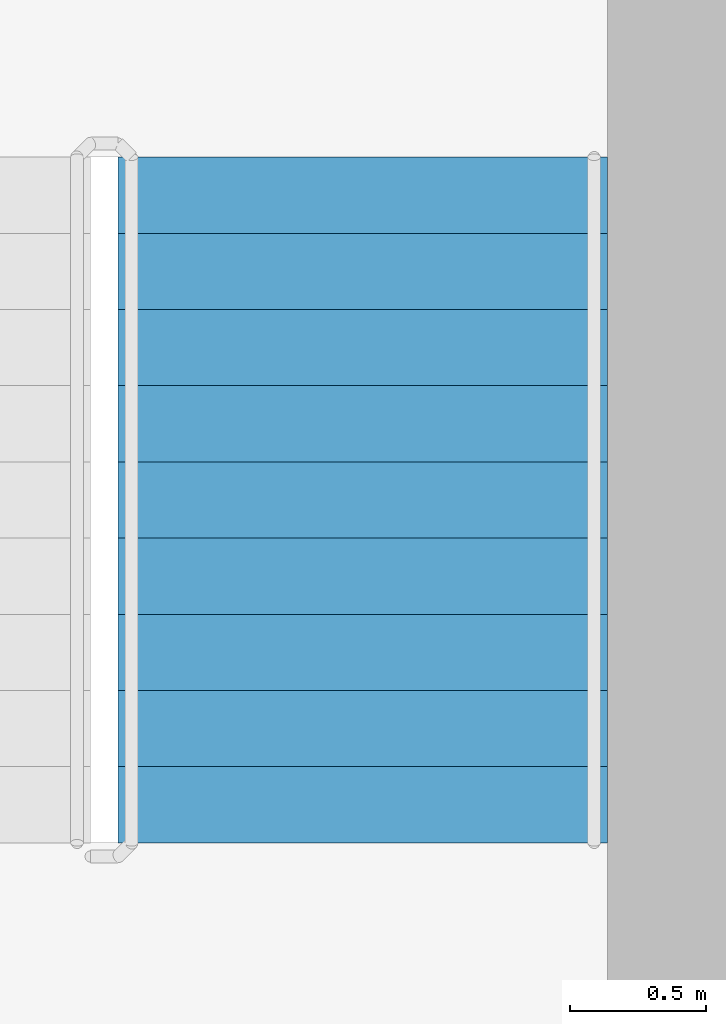
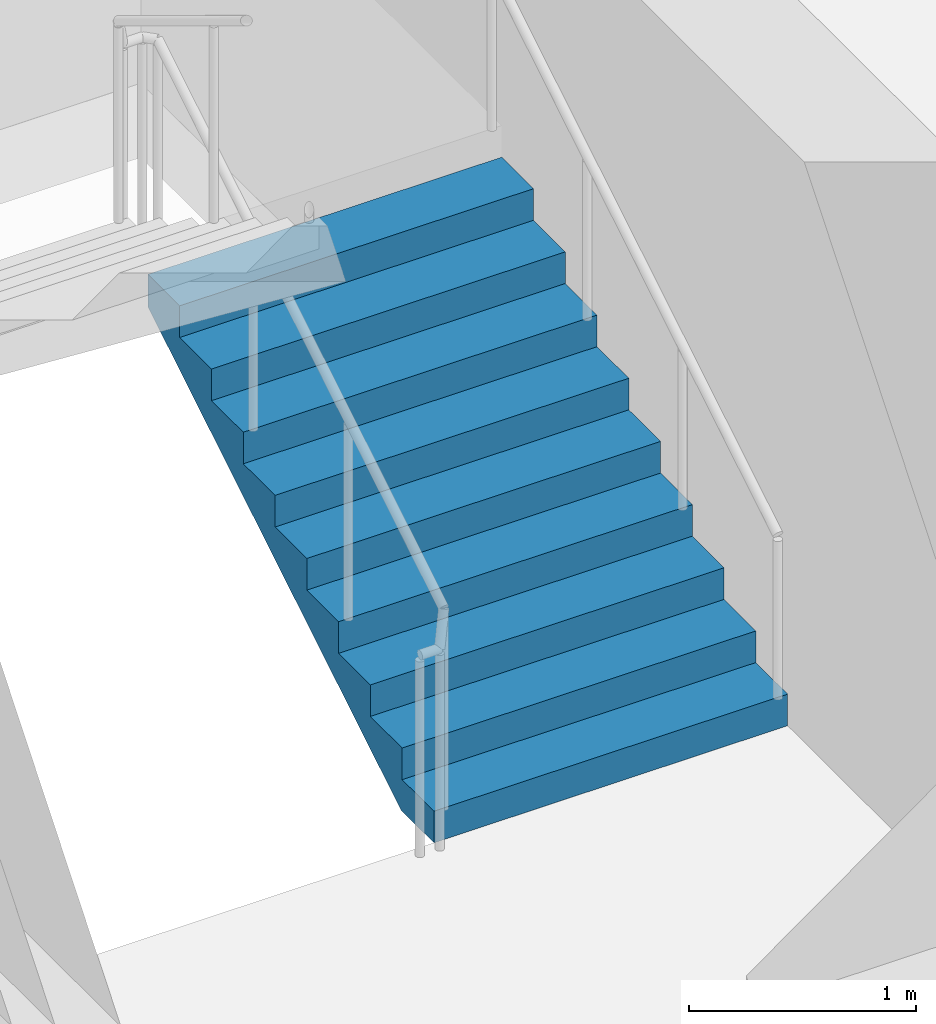
# One storey, part 10 of 12: 1 stair flight, 1 element without a shape of its own.
"""IFC4 building model written with IfcOpenShell, lengths in metres."""

from ifc_helpers import new_model, si_unit, direction, frame, origin, place, context, subcontext, project, spatial, triangles, source, transform, mapped, material, type_object, element, aggregate, save


model = new_model("IFC4")

# Units and contexts
model_context = context("Model", 3, precision=1e-05, world=origin(), true_north=direction((0.0, 1.0)))
body_context = subcontext(model_context, "Body", "Model", "MODEL_VIEW")
ifc_project = project(units=[si_unit("LENGTHUNIT", "METRE"), si_unit("AREAUNIT", "SQUARE_METRE"), si_unit("VOLUMEUNIT", "CUBIC_METRE"), si_unit("PLANEANGLEUNIT", "RADIAN"), si_unit("MASSUNIT", "GRAM", prefix="KILO")], contexts=[model_context])

# Site, building, storey
site_placement = place(None, origin())
site = spatial("IfcSite", under=ifc_project, at=site_placement, CompositionType="ELEMENT")
building_placement = place(site_placement, origin())
building = spatial("IfcBuilding", under=site, at=building_placement, Name="Kilnfold Tower and Market Hall", CompositionType="ELEMENT")
storey_placement = place(building_placement, frame((0.0, 0.0, 295.0)))
storey = spatial("IfcBuildingStorey", under=building, at=storey_placement, Name="L73", CompositionType="ELEMENT", Elevation=295.0)

# Stair, stair flight
ifc_material_1 = material(Name="Concrete C40/50", Category="concrete")
stair_type = type_object("IfcStairType", Name="CORE STAIR 1800", PredefinedType="HALF_TURN_STAIR", material=ifc_material_1)
stair_placement = place(storey_placement, origin())
stair = element("IfcStair", 1, at=stair_placement, inside=storey, type_object=stair_type, Name="L73 ST2", PredefinedType="HALF_TURN_STAIR")
ifc_material_2 = material(Name="Concrete C40/50", Category="concrete")
stair_flight_type = type_object("IfcStairFlightType", Name="CORE STAIR FLIGHT 1800", PredefinedType="STRAIGHT", material=ifc_material_2)
shared_shape = source(origin(), body_context, "Body", "Tessellation", [
    triangles([(0.0, 0.89990234375, 0.0), (0.0, 0.78759765625, 0.0), (0.0, 0.675048828125, 0.0), (0.0, 0.5625, 0.0), (0.0, 0.449951171875, 0.0), (0.0, 0.33740234375, 0.0), (0.0, 0.22509765625, 0.0), (0.0, 0.112548828125, 0.0), (0.0, 0.0, 0.0), (0.0, -0.112548828125, 0.0), (0.0, -0.22509765625, 0.0), (0.0, -0.33740234375, 0.0), (0.0, -0.449951171875, 0.0), (0.0, -0.5625, 0.0), (0.0, -0.675048828125, 0.0), (0.0, -0.78759765625, 0.0), (0.0, -0.89990234375, 0.0), (0.0, 0.89990234375, 0.169921875), (0.0, 0.78759765625, 0.169921875), (0.0, 0.675048828125, 0.169921875), (0.0, 0.5625, 0.169921875), (0.0, 0.449951171875, 0.169921875), (0.0, 0.33740234375, 0.169921875), (0.0, 0.22509765625, 0.169921875), (0.0, 0.112548828125, 0.169921875), (0.0, 0.0, 0.169921875), (0.0, -0.112548828125, 0.169921875), (0.0, -0.22509765625, 0.169921875), (0.0, -0.33740234375, 0.169921875), (0.0, -0.449951171875, 0.169921875), (0.0, -0.5625, 0.169921875), (0.0, -0.675048828125, 0.169921875), (0.0, -0.78759765625, 0.169921875), (0.0, -0.89990234375, 0.169921875), (0.280029296875, 0.89990234375, 0.169921875), (0.280029296875, 0.78759765625, 0.169921875), (0.280029296875, 0.675048828125, 0.169921875), (0.280029296875, 0.5625, 0.169921875), (0.280029296875, 0.449951171875, 0.169921875), (0.280029296875, 0.33740234375, 0.169921875), (0.280029296875, 0.22509765625, 0.169921875), (0.280029296875, 0.112548828125, 0.169921875), (0.280029296875, 0.0, 0.169921875), (0.280029296875, -0.112548828125, 0.169921875), (0.280029296875, -0.22509765625, 0.169921875), (0.280029296875, -0.33740234375, 0.169921875), (0.280029296875, -0.449951171875, 0.169921875), (0.280029296875, -0.5625, 0.169921875), (0.280029296875, -0.675048828125, 0.169921875), (0.280029296875, -0.78759765625, 0.169921875), (0.280029296875, -0.89990234375, 0.169921875), (0.280029296875, 0.89990234375, 0.340087890625), (0.280029296875, 0.78759765625, 0.340087890625), (0.280029296875, 0.675048828125, 0.340087890625), (0.280029296875, 0.5625, 0.340087890625), (0.280029296875, 0.449951171875, 0.340087890625), (0.280029296875, 0.33740234375, 0.340087890625), (0.280029296875, 0.22509765625, 0.340087890625), (0.280029296875, 0.112548828125, 0.340087890625), (0.280029296875, 0.0, 0.340087890625), (0.280029296875, -0.112548828125, 0.340087890625), (0.280029296875, -0.22509765625, 0.340087890625), (0.280029296875, -0.33740234375, 0.340087890625), (0.280029296875, -0.449951171875, 0.340087890625), (0.280029296875, -0.5625, 0.340087890625), (0.280029296875, -0.675048828125, 0.340087890625), (0.280029296875, -0.78759765625, 0.340087890625), (0.280029296875, -0.89990234375, 0.340087890625), (0.56005859375, 0.89990234375, 0.340087890625), (0.56005859375, 0.78759765625, 0.340087890625), (0.56005859375, 0.675048828125, 0.340087890625), (0.56005859375, 0.5625, 0.340087890625), (0.56005859375, 0.449951171875, 0.340087890625), (0.56005859375, 0.33740234375, 0.340087890625), (0.56005859375, 0.22509765625, 0.340087890625), (0.56005859375, 0.112548828125, 0.340087890625), (0.56005859375, 0.0, 0.340087890625), (0.56005859375, -0.112548828125, 0.340087890625), (0.56005859375, -0.22509765625, 0.340087890625), (0.56005859375, -0.33740234375, 0.340087890625), (0.56005859375, -0.449951171875, 0.340087890625), (0.56005859375, -0.5625, 0.340087890625), (0.56005859375, -0.675048828125, 0.340087890625), (0.56005859375, -0.78759765625, 0.340087890625), (0.56005859375, -0.89990234375, 0.340087890625), (0.56005859375, 0.89990234375, 0.510009765625), (0.56005859375, 0.78759765625, 0.510009765625), (0.56005859375, 0.675048828125, 0.510009765625), (0.56005859375, 0.5625, 0.510009765625), (0.56005859375, 0.449951171875, 0.510009765625), (0.56005859375, 0.33740234375, 0.510009765625), (0.56005859375, 0.22509765625, 0.510009765625), (0.56005859375, 0.112548828125, 0.510009765625), (0.56005859375, 0.0, 0.510009765625), (0.56005859375, -0.112548828125, 0.510009765625), (0.56005859375, -0.22509765625, 0.510009765625), (0.56005859375, -0.33740234375, 0.510009765625), (0.56005859375, -0.449951171875, 0.510009765625), (0.56005859375, -0.5625, 0.510009765625), (0.56005859375, -0.675048828125, 0.510009765625), (0.56005859375, -0.78759765625, 0.510009765625), (0.56005859375, -0.89990234375, 0.510009765625), (0.840087890625, 0.89990234375, 0.510009765625), (0.840087890625, 0.78759765625, 0.510009765625), (0.840087890625, 0.675048828125, 0.510009765625), (0.840087890625, 0.5625, 0.510009765625), (0.840087890625, 0.449951171875, 0.510009765625), (0.840087890625, 0.33740234375, 0.510009765625), (0.840087890625, 0.22509765625, 0.510009765625), (0.840087890625, 0.112548828125, 0.510009765625), (0.840087890625, 0.0, 0.510009765625), (0.840087890625, -0.112548828125, 0.510009765625), (0.840087890625, -0.22509765625, 0.510009765625), (0.840087890625, -0.33740234375, 0.510009765625), (0.840087890625, -0.449951171875, 0.510009765625), (0.840087890625, -0.5625, 0.510009765625), (0.840087890625, -0.675048828125, 0.510009765625), (0.840087890625, -0.78759765625, 0.510009765625), (0.840087890625, -0.89990234375, 0.510009765625), (0.840087890625, 0.89990234375, 0.679931640625), (0.840087890625, 0.78759765625, 0.679931640625), (0.840087890625, 0.675048828125, 0.679931640625), (0.840087890625, 0.5625, 0.679931640625), (0.840087890625, 0.449951171875, 0.679931640625), (0.840087890625, 0.33740234375, 0.679931640625), (0.840087890625, 0.22509765625, 0.679931640625), (0.840087890625, 0.112548828125, 0.679931640625), (0.840087890625, 0.0, 0.679931640625), (0.840087890625, -0.112548828125, 0.679931640625), (0.840087890625, -0.22509765625, 0.679931640625), (0.840087890625, -0.33740234375, 0.679931640625), (0.840087890625, -0.449951171875, 0.679931640625), (0.840087890625, -0.5625, 0.679931640625), (0.840087890625, -0.675048828125, 0.679931640625), (0.840087890625, -0.78759765625, 0.679931640625), (0.840087890625, -0.89990234375, 0.679931640625), (1.1201171875, 0.89990234375, 0.679931640625), (1.1201171875, 0.78759765625, 0.679931640625), (1.1201171875, 0.675048828125, 0.679931640625), (1.1201171875, 0.5625, 0.679931640625), (1.1201171875, 0.449951171875, 0.679931640625), (1.1201171875, 0.33740234375, 0.679931640625), (1.1201171875, 0.22509765625, 0.679931640625), (1.1201171875, 0.112548828125, 0.679931640625), (1.1201171875, 0.0, 0.679931640625), (1.1201171875, -0.112548828125, 0.679931640625), (1.1201171875, -0.22509765625, 0.679931640625), (1.1201171875, -0.33740234375, 0.679931640625), (1.1201171875, -0.449951171875, 0.679931640625), (1.1201171875, -0.5625, 0.679931640625), (1.1201171875, -0.675048828125, 0.679931640625), (1.1201171875, -0.78759765625, 0.679931640625), (1.1201171875, -0.89990234375, 0.679931640625), (1.1201171875, 0.89990234375, 0.85009765625), (1.1201171875, 0.78759765625, 0.85009765625), (1.1201171875, 0.675048828125, 0.85009765625), (1.1201171875, 0.5625, 0.85009765625), (1.1201171875, 0.449951171875, 0.85009765625), (1.1201171875, 0.33740234375, 0.85009765625), (1.1201171875, 0.22509765625, 0.85009765625), (1.1201171875, 0.112548828125, 0.85009765625), (1.1201171875, 0.0, 0.85009765625), (1.1201171875, -0.112548828125, 0.85009765625), (1.1201171875, -0.22509765625, 0.85009765625), (1.1201171875, -0.33740234375, 0.85009765625), (1.1201171875, -0.449951171875, 0.85009765625), (1.1201171875, -0.5625, 0.85009765625), (1.1201171875, -0.675048828125, 0.85009765625), (1.1201171875, -0.78759765625, 0.85009765625), (1.1201171875, -0.89990234375, 0.85009765625), (1.39990234375, 0.89990234375, 0.85009765625), (1.39990234375, 0.78759765625, 0.85009765625), (1.39990234375, 0.675048828125, 0.85009765625), (1.39990234375, 0.5625, 0.85009765625), (1.39990234375, 0.449951171875, 0.85009765625), (1.39990234375, 0.33740234375, 0.85009765625), (1.39990234375, 0.22509765625, 0.85009765625), (1.39990234375, 0.112548828125, 0.85009765625), (1.39990234375, 0.0, 0.85009765625), (1.39990234375, -0.112548828125, 0.85009765625), (1.39990234375, -0.22509765625, 0.85009765625), (1.39990234375, -0.33740234375, 0.85009765625), (1.39990234375, -0.449951171875, 0.85009765625), (1.39990234375, -0.5625, 0.85009765625), (1.39990234375, -0.675048828125, 0.85009765625), (1.39990234375, -0.78759765625, 0.85009765625), (1.39990234375, -0.89990234375, 0.85009765625), (1.39990234375, 0.89990234375, 1.02001953125), (1.39990234375, 0.78759765625, 1.02001953125), (1.39990234375, 0.675048828125, 1.02001953125), (1.39990234375, 0.5625, 1.02001953125), (1.39990234375, 0.449951171875, 1.02001953125), (1.39990234375, 0.33740234375, 1.02001953125), (1.39990234375, 0.22509765625, 1.02001953125), (1.39990234375, 0.112548828125, 1.02001953125), (1.39990234375, 0.0, 1.02001953125), (1.39990234375, -0.112548828125, 1.02001953125), (1.39990234375, -0.22509765625, 1.02001953125), (1.39990234375, -0.33740234375, 1.02001953125), (1.39990234375, -0.449951171875, 1.02001953125), (1.39990234375, -0.5625, 1.02001953125), (1.39990234375, -0.675048828125, 1.02001953125), (1.39990234375, -0.78759765625, 1.02001953125), (1.39990234375, -0.89990234375, 1.02001953125), (1.679931640625, 0.89990234375, 1.02001953125), (1.679931640625, 0.78759765625, 1.02001953125), (1.679931640625, 0.675048828125, 1.02001953125), (1.679931640625, 0.5625, 1.02001953125), (1.679931640625, 0.449951171875, 1.02001953125), (1.679931640625, 0.33740234375, 1.02001953125), (1.679931640625, 0.22509765625, 1.02001953125), (1.679931640625, 0.112548828125, 1.02001953125), (1.679931640625, 0.0, 1.02001953125), (1.679931640625, -0.112548828125, 1.02001953125), (1.679931640625, -0.22509765625, 1.02001953125), (1.679931640625, -0.33740234375, 1.02001953125), (1.679931640625, -0.449951171875, 1.02001953125), (1.679931640625, -0.5625, 1.02001953125), (1.679931640625, -0.675048828125, 1.02001953125), (1.679931640625, -0.78759765625, 1.02001953125), (1.679931640625, -0.89990234375, 1.02001953125), (1.679931640625, 0.89990234375, 1.18994140625), (1.679931640625, 0.78759765625, 1.18994140625), (1.679931640625, 0.675048828125, 1.18994140625), (1.679931640625, 0.5625, 1.18994140625), (1.679931640625, 0.449951171875, 1.18994140625), (1.679931640625, 0.33740234375, 1.18994140625), (1.679931640625, 0.22509765625, 1.18994140625), (1.679931640625, 0.112548828125, 1.18994140625), (1.679931640625, 0.0, 1.18994140625), (1.679931640625, -0.112548828125, 1.18994140625), (1.679931640625, -0.22509765625, 1.18994140625), (1.679931640625, -0.33740234375, 1.18994140625), (1.679931640625, -0.449951171875, 1.18994140625), (1.679931640625, -0.5625, 1.18994140625), (1.679931640625, -0.675048828125, 1.18994140625), (1.679931640625, -0.78759765625, 1.18994140625), (1.679931640625, -0.89990234375, 1.18994140625), (1.9599609375, 0.89990234375, 1.18994140625), (1.9599609375, 0.78759765625, 1.18994140625), (1.9599609375, 0.675048828125, 1.18994140625), (1.9599609375, 0.5625, 1.18994140625), (1.9599609375, 0.449951171875, 1.18994140625), (1.9599609375, 0.33740234375, 1.18994140625), (1.9599609375, 0.22509765625, 1.18994140625), (1.9599609375, 0.112548828125, 1.18994140625), (1.9599609375, 0.0, 1.18994140625), (1.9599609375, -0.112548828125, 1.18994140625), (1.9599609375, -0.22509765625, 1.18994140625), (1.9599609375, -0.33740234375, 1.18994140625), (1.9599609375, -0.449951171875, 1.18994140625), (1.9599609375, -0.5625, 1.18994140625), (1.9599609375, -0.675048828125, 1.18994140625), (1.9599609375, -0.78759765625, 1.18994140625), (1.9599609375, -0.89990234375, 1.18994140625), (1.9599609375, 0.89990234375, 1.360107421875), (1.9599609375, 0.78759765625, 1.360107421875), (1.9599609375, 0.675048828125, 1.360107421875), (1.9599609375, 0.5625, 1.360107421875), (1.9599609375, 0.449951171875, 1.360107421875), (1.9599609375, 0.33740234375, 1.360107421875), (1.9599609375, 0.22509765625, 1.360107421875), (1.9599609375, 0.112548828125, 1.360107421875), (1.9599609375, 0.0, 1.360107421875), (1.9599609375, -0.112548828125, 1.360107421875), (1.9599609375, -0.22509765625, 1.360107421875), (1.9599609375, -0.33740234375, 1.360107421875), (1.9599609375, -0.449951171875, 1.360107421875), (1.9599609375, -0.5625, 1.360107421875), (1.9599609375, -0.675048828125, 1.360107421875), (1.9599609375, -0.78759765625, 1.360107421875), (1.9599609375, -0.89990234375, 1.360107421875), (2.239990234375, 0.89990234375, 1.360107421875), (2.239990234375, 0.78759765625, 1.360107421875), (2.239990234375, 0.675048828125, 1.360107421875), (2.239990234375, 0.5625, 1.360107421875), (2.239990234375, 0.449951171875, 1.360107421875), (2.239990234375, 0.33740234375, 1.360107421875), (2.239990234375, 0.22509765625, 1.360107421875), (2.239990234375, 0.112548828125, 1.360107421875), (2.239990234375, 0.0, 1.360107421875), (2.239990234375, -0.112548828125, 1.360107421875), (2.239990234375, -0.22509765625, 1.360107421875), (2.239990234375, -0.33740234375, 1.360107421875), (2.239990234375, -0.449951171875, 1.360107421875), (2.239990234375, -0.5625, 1.360107421875), (2.239990234375, -0.675048828125, 1.360107421875), (2.239990234375, -0.78759765625, 1.360107421875), (2.239990234375, -0.89990234375, 1.360107421875), (2.239990234375, 0.89990234375, 1.530029296875), (2.239990234375, 0.78759765625, 1.530029296875), (2.239990234375, 0.675048828125, 1.530029296875), (2.239990234375, 0.5625, 1.530029296875), (2.239990234375, 0.449951171875, 1.530029296875), (2.239990234375, 0.33740234375, 1.530029296875), (2.239990234375, 0.22509765625, 1.530029296875), (2.239990234375, 0.112548828125, 1.530029296875), (2.239990234375, 0.0, 1.530029296875), (2.239990234375, -0.112548828125, 1.530029296875), (2.239990234375, -0.22509765625, 1.530029296875), (2.239990234375, -0.33740234375, 1.530029296875), (2.239990234375, -0.449951171875, 1.530029296875), (2.239990234375, -0.5625, 1.530029296875), (2.239990234375, -0.675048828125, 1.530029296875), (2.239990234375, -0.78759765625, 1.530029296875), (2.239990234375, -0.89990234375, 1.530029296875), (2.52001953125, 0.89990234375, 1.530029296875), (2.52001953125, 0.78759765625, 1.530029296875), (2.52001953125, 0.675048828125, 1.530029296875), (2.52001953125, 0.5625, 1.530029296875), (2.52001953125, 0.449951171875, 1.530029296875), (2.52001953125, 0.33740234375, 1.530029296875), (2.52001953125, 0.22509765625, 1.530029296875), (2.52001953125, 0.112548828125, 1.530029296875), (2.52001953125, 0.0, 1.530029296875), (2.52001953125, -0.112548828125, 1.530029296875), (2.52001953125, -0.22509765625, 1.530029296875), (2.52001953125, -0.33740234375, 1.530029296875), (2.52001953125, -0.449951171875, 1.530029296875), (2.52001953125, -0.5625, 1.530029296875), (2.52001953125, -0.675048828125, 1.530029296875), (2.52001953125, -0.78759765625, 1.530029296875), (2.52001953125, -0.89990234375, 1.530029296875), (2.52001953125, 0.89990234375, 1.354736328125), (2.52001953125, 0.78759765625, 1.354736328125), (2.52001953125, 0.675048828125, 1.354736328125), (2.52001953125, 0.5625, 1.354736328125), (2.52001953125, 0.449951171875, 1.354736328125), (2.52001953125, 0.33740234375, 1.354736328125), (2.52001953125, 0.22509765625, 1.354736328125), (2.52001953125, 0.112548828125, 1.354736328125), (2.52001953125, 0.0, 1.354736328125), (2.52001953125, -0.112548828125, 1.354736328125), (2.52001953125, -0.22509765625, 1.354736328125), (2.52001953125, -0.33740234375, 1.354736328125), (2.52001953125, -0.449951171875, 1.354736328125), (2.52001953125, -0.5625, 1.354736328125), (2.52001953125, -0.675048828125, 1.354736328125), (2.52001953125, -0.78759765625, 1.354736328125), (2.52001953125, -0.89990234375, 1.354736328125), (0.288818359375, 0.89990234375, 0.0), (0.288818359375, 0.78759765625, 0.0), (0.288818359375, 0.675048828125, 0.0), (0.288818359375, 0.5625, 0.0), (0.288818359375, 0.449951171875, 0.0), (0.288818359375, 0.33740234375, 0.0), (0.288818359375, 0.22509765625, 0.0), (0.288818359375, 0.112548828125, 0.0), (0.288818359375, 0.0, 0.0), (0.288818359375, -0.112548828125, 0.0), (0.288818359375, -0.22509765625, 0.0), (0.288818359375, -0.33740234375, 0.0), (0.288818359375, -0.449951171875, 0.0), (0.288818359375, -0.5625, 0.0), (0.288818359375, -0.675048828125, 0.0), (0.288818359375, -0.78759765625, 0.0), (0.288818359375, -0.89990234375, 0.0)], [[1, 324, 341], [17, 357, 340], [324, 290, 307], [340, 323, 306], [324, 273, 290], [340, 306, 289], [324, 256, 273], [340, 289, 272], [324, 239, 256], [340, 272, 255], [239, 205, 222], [255, 238, 221], [324, 205, 239], [340, 255, 221], [205, 171, 188], [221, 204, 187], [324, 171, 205], [340, 221, 187], [171, 137, 154], [187, 170, 153], [324, 137, 171], [340, 187, 153], [137, 103, 120], [153, 136, 119], [324, 103, 137], [340, 153, 119], [103, 69, 86], [119, 102, 85], [324, 69, 103], [340, 119, 85], [69, 35, 52], [85, 68, 51], [324, 35, 69], [340, 85, 51], [1, 35, 324], [17, 340, 51], [35, 1, 18], [51, 34, 17], [1, 19, 18], [1, 2, 19], [2, 20, 19], [2, 3, 20], [3, 21, 20], [3, 4, 21], [4, 22, 21], [4, 5, 22], [5, 23, 22], [5, 6, 23], [6, 24, 23], [6, 7, 24], [7, 25, 24], [7, 8, 25], [8, 26, 25], [8, 9, 26], [9, 27, 26], [9, 10, 27], [10, 28, 27], [10, 11, 28], [11, 29, 28], [11, 12, 29], [12, 30, 29], [12, 13, 30], [13, 31, 30], [13, 14, 31], [14, 32, 31], [14, 15, 32], [15, 33, 32], [15, 16, 33], [16, 34, 33], [16, 17, 34], [18, 36, 35], [18, 19, 36], [19, 37, 36], [19, 20, 37], [20, 38, 37], [20, 21, 38], [21, 39, 38], [21, 22, 39], [22, 40, 39], [22, 23, 40], [23, 41, 40], [23, 24, 41], [24, 42, 41], [24, 25, 42], [25, 43, 42], [25, 26, 43], [26, 44, 43], [26, 27, 44], [27, 45, 44], [27, 28, 45], [28, 46, 45], [28, 29, 46], [29, 47, 46], [29, 30, 47], [30, 48, 47], [30, 31, 48], [31, 49, 48], [31, 32, 49], [32, 50, 49], [32, 33, 50], [33, 51, 50], [33, 34, 51], [35, 53, 52], [35, 36, 53], [36, 54, 53], [36, 37, 54], [37, 55, 54], [37, 38, 55], [38, 56, 55], [38, 39, 56], [39, 57, 56], [39, 40, 57], [40, 58, 57], [40, 41, 58], [41, 59, 58], [41, 42, 59], [42, 60, 59], [42, 43, 60], [43, 61, 60], [43, 44, 61], [44, 62, 61], [44, 45, 62], [45, 63, 62], [45, 46, 63], [46, 64, 63], [46, 47, 64], [47, 65, 64], [47, 48, 65], [48, 66, 65], [48, 49, 66], [49, 67, 66], [49, 50, 67], [50, 68, 67], [50, 51, 68], [52, 70, 69], [52, 53, 70], [53, 71, 70], [53, 54, 71], [54, 72, 71], [54, 55, 72], [55, 73, 72], [55, 56, 73], [56, 74, 73], [56, 57, 74], [57, 75, 74], [57, 58, 75], [58, 76, 75], [58, 59, 76], [59, 77, 76], [59, 60, 77], [60, 78, 77], [60, 61, 78], [61, 79, 78], [61, 62, 79], [62, 80, 79], [62, 63, 80], [63, 81, 80], [63, 64, 81], [64, 82, 81], [64, 65, 82], [65, 83, 82], [65, 66, 83], [66, 84, 83], [66, 67, 84], [67, 85, 84], [67, 68, 85], [69, 87, 86], [69, 70, 87], [70, 88, 87], [70, 71, 88], [71, 89, 88], [71, 72, 89], [72, 90, 89], [72, 73, 90], [73, 91, 90], [73, 74, 91], [74, 92, 91], [74, 75, 92], [75, 93, 92], [75, 76, 93], [76, 94, 93], [76, 77, 94], [77, 95, 94], [77, 78, 95], [78, 96, 95], [78, 79, 96], [79, 97, 96], [79, 80, 97], [80, 98, 97], [80, 81, 98], [81, 99, 98], [81, 82, 99], [82, 100, 99], [82, 83, 100], [83, 101, 100], [83, 84, 101], [84, 102, 101], [84, 85, 102], [86, 104, 103], [86, 87, 104], [87, 105, 104], [87, 88, 105], [88, 106, 105], [88, 89, 106], [89, 107, 106], [89, 90, 107], [90, 108, 107], [90, 91, 108], [91, 109, 108], [91, 92, 109], [92, 110, 109], [92, 93, 110], [93, 111, 110], [93, 94, 111], [94, 112, 111], [94, 95, 112], [95, 113, 112], [95, 96, 113], [96, 114, 113], [96, 97, 114], [97, 115, 114], [97, 98, 115], [98, 116, 115], [98, 99, 116], [99, 117, 116], [99, 100, 117], [100, 118, 117], [100, 101, 118], [101, 119, 118], [101, 102, 119], [103, 121, 120], [103, 104, 121], [104, 122, 121], [104, 105, 122], [105, 123, 122], [105, 106, 123], [106, 124, 123], [106, 107, 124], [107, 125, 124], [107, 108, 125], [108, 126, 125], [108, 109, 126], [109, 127, 126], [109, 110, 127], [110, 128, 127], [110, 111, 128], [111, 129, 128], [111, 112, 129], [112, 130, 129], [112, 113, 130], [113, 131, 130], [113, 114, 131], [114, 132, 131], [114, 115, 132], [115, 133, 132], [115, 116, 133], [116, 134, 133], [116, 117, 134], [117, 135, 134], [117, 118, 135], [118, 136, 135], [118, 119, 136], [120, 138, 137], [120, 121, 138], [121, 139, 138], [121, 122, 139], [122, 140, 139], [122, 123, 140], [123, 141, 140], [123, 124, 141], [124, 142, 141], [124, 125, 142], [125, 143, 142], [125, 126, 143], [126, 144, 143], [126, 127, 144], [127, 145, 144], [127, 128, 145], [128, 146, 145], [128, 129, 146], [129, 147, 146], [129, 130, 147], [130, 148, 147], [130, 131, 148], [131, 149, 148], [131, 132, 149], [132, 150, 149], [132, 133, 150], [133, 151, 150], [133, 134, 151], [134, 152, 151], [134, 135, 152], [135, 153, 152], [135, 136, 153], [137, 155, 154], [137, 138, 155], [138, 156, 155], [138, 139, 156], [139, 157, 156], [139, 140, 157], [140, 158, 157], [140, 141, 158], [141, 159, 158], [141, 142, 159], [142, 160, 159], [142, 143, 160], [143, 161, 160], [143, 144, 161], [144, 162, 161], [144, 145, 162], [145, 163, 162], [145, 146, 163], [146, 164, 163], [146, 147, 164], [147, 165, 164], [147, 148, 165], [148, 166, 165], [148, 149, 166], [149, 167, 166], [149, 150, 167], [150, 168, 167], [150, 151, 168], [151, 169, 168], [151, 152, 169], [152, 170, 169], [152, 153, 170], [154, 172, 171], [154, 155, 172], [155, 173, 172], [155, 156, 173], [156, 174, 173], [156, 157, 174], [157, 175, 174], [157, 158, 175], [158, 176, 175], [158, 159, 176], [159, 177, 176], [159, 160, 177], [160, 178, 177], [160, 161, 178], [161, 179, 178], [161, 162, 179], [162, 180, 179], [162, 163, 180], [163, 181, 180], [163, 164, 181], [164, 182, 181], [164, 165, 182], [165, 183, 182], [165, 166, 183], [166, 184, 183], [166, 167, 184], [167, 185, 184], [167, 168, 185], [168, 186, 185], [168, 169, 186], [169, 187, 186], [169, 170, 187], [171, 189, 188], [171, 172, 189], [172, 190, 189], [172, 173, 190], [173, 191, 190], [173, 174, 191], [174, 192, 191], [174, 175, 192], [175, 193, 192], [175, 176, 193], [176, 194, 193], [176, 177, 194], [177, 195, 194], [177, 178, 195], [178, 196, 195], [178, 179, 196], [179, 197, 196], [179, 180, 197], [180, 198, 197], [180, 181, 198], [181, 199, 198], [181, 182, 199], [182, 200, 199], [182, 183, 200], [183, 201, 200], [183, 184, 201], [184, 202, 201], [184, 185, 202], [185, 203, 202], [185, 186, 203], [186, 204, 203], [186, 187, 204], [188, 206, 205], [188, 189, 206], [189, 207, 206], [189, 190, 207], [190, 208, 207], [190, 191, 208], [191, 209, 208], [191, 192, 209], [192, 210, 209], [192, 193, 210], [193, 211, 210], [193, 194, 211], [194, 212, 211], [194, 195, 212], [195, 213, 212], [195, 196, 213], [196, 214, 213], [196, 197, 214], [197, 215, 214], [197, 198, 215], [198, 216, 215], [198, 199, 216], [199, 217, 216], [199, 200, 217], [200, 218, 217], [200, 201, 218], [201, 219, 218], [201, 202, 219], [202, 220, 219], [202, 203, 220], [203, 221, 220], [203, 204, 221], [205, 223, 222], [205, 206, 223], [206, 224, 223], [206, 207, 224], [207, 225, 224], [207, 208, 225], [208, 226, 225], [208, 209, 226], [209, 227, 226], [209, 210, 227], [210, 228, 227], [210, 211, 228], [211, 229, 228], [211, 212, 229], [212, 230, 229], [212, 213, 230], [213, 231, 230], [213, 214, 231], [214, 232, 231], [214, 215, 232], [215, 233, 232], [215, 216, 233], [216, 234, 233], [216, 217, 234], [217, 235, 234], [217, 218, 235], [218, 236, 235], [218, 219, 236], [219, 237, 236], [219, 220, 237], [220, 238, 237], [220, 221, 238], [222, 240, 239], [222, 223, 240], [223, 241, 240], [223, 224, 241], [224, 242, 241], [224, 225, 242], [225, 243, 242], [225, 226, 243], [226, 244, 243], [226, 227, 244], [227, 245, 244], [227, 228, 245], [228, 246, 245], [228, 229, 246], [229, 247, 246], [229, 230, 247], [230, 248, 247], [230, 231, 248], [231, 249, 248], [231, 232, 249], [232, 250, 249], [232, 233, 250], [233, 251, 250], [233, 234, 251], [234, 252, 251], [234, 235, 252], [235, 253, 252], [235, 236, 253], [236, 254, 253], [236, 237, 254], [237, 255, 254], [237, 238, 255], [239, 257, 256], [239, 240, 257], [240, 258, 257], [240, 241, 258], [241, 259, 258], [241, 242, 259], [242, 260, 259], [242, 243, 260], [243, 261, 260], [243, 244, 261], [244, 262, 261], [244, 245, 262], [245, 263, 262], [245, 246, 263], [246, 264, 263], [246, 247, 264], [247, 265, 264], [247, 248, 265], [248, 266, 265], [248, 249, 266], [249, 267, 266], [249, 250, 267], [250, 268, 267], [250, 251, 268], [251, 269, 268], [251, 252, 269], [252, 270, 269], [252, 253, 270], [253, 271, 270], [253, 254, 271], [254, 272, 271], [254, 255, 272], [256, 274, 273], [256, 257, 274], [257, 275, 274], [257, 258, 275], [258, 276, 275], [258, 259, 276], [259, 277, 276], [259, 260, 277], [260, 278, 277], [260, 261, 278], [261, 279, 278], [261, 262, 279], [262, 280, 279], [262, 263, 280], [263, 281, 280], [263, 264, 281], [264, 282, 281], [264, 265, 282], [265, 283, 282], [265, 266, 283], [266, 284, 283], [266, 267, 284], [267, 285, 284], [267, 268, 285], [268, 286, 285], [268, 269, 286], [269, 287, 286], [269, 270, 287], [270, 288, 287], [270, 271, 288], [271, 289, 288], [271, 272, 289], [273, 291, 290], [273, 274, 291], [274, 292, 291], [274, 275, 292], [275, 293, 292], [275, 276, 293], [276, 294, 293], [276, 277, 294], [277, 295, 294], [277, 278, 295], [278, 296, 295], [278, 279, 296], [279, 297, 296], [279, 280, 297], [280, 298, 297], [280, 281, 298], [281, 299, 298], [281, 282, 299], [282, 300, 299], [282, 283, 300], [283, 301, 300], [283, 284, 301], [284, 302, 301], [284, 285, 302], [285, 303, 302], [285, 286, 303], [286, 304, 303], [286, 287, 304], [287, 305, 304], [287, 288, 305], [288, 306, 305], [288, 289, 306], [290, 308, 307], [290, 291, 308], [291, 309, 308], [291, 292, 309], [292, 310, 309], [292, 293, 310], [293, 311, 310], [293, 294, 311], [294, 312, 311], [294, 295, 312], [295, 313, 312], [295, 296, 313], [296, 314, 313], [296, 297, 314], [297, 315, 314], [297, 298, 315], [298, 316, 315], [298, 299, 316], [299, 317, 316], [299, 300, 317], [300, 318, 317], [300, 301, 318], [301, 319, 318], [301, 302, 319], [302, 320, 319], [302, 303, 320], [303, 321, 320], [303, 304, 321], [304, 322, 321], [304, 305, 322], [305, 323, 322], [305, 306, 323], [307, 325, 324], [307, 308, 325], [308, 326, 325], [308, 309, 326], [309, 327, 326], [309, 310, 327], [310, 328, 327], [310, 311, 328], [311, 329, 328], [311, 312, 329], [312, 330, 329], [312, 313, 330], [313, 331, 330], [313, 314, 331], [314, 332, 331], [314, 315, 332], [315, 333, 332], [315, 316, 333], [316, 334, 333], [316, 317, 334], [317, 335, 334], [317, 318, 335], [318, 336, 335], [318, 319, 336], [319, 337, 336], [319, 320, 337], [320, 338, 337], [320, 321, 338], [321, 339, 338], [321, 322, 339], [322, 340, 339], [322, 323, 340], [324, 342, 341], [324, 325, 342], [325, 343, 342], [325, 326, 343], [326, 344, 343], [326, 327, 344], [327, 345, 344], [327, 328, 345], [328, 346, 345], [328, 329, 346], [329, 347, 346], [329, 330, 347], [330, 348, 347], [330, 331, 348], [331, 349, 348], [331, 332, 349], [332, 350, 349], [332, 333, 350], [333, 351, 350], [333, 334, 351], [334, 352, 351], [334, 335, 352], [335, 353, 352], [335, 336, 353], [336, 354, 353], [336, 337, 354], [337, 355, 354], [337, 338, 355], [338, 356, 355], [338, 339, 356], [339, 357, 356], [339, 340, 357], [341, 2, 1], [341, 342, 2], [342, 3, 2], [342, 343, 3], [343, 4, 3], [343, 344, 4], [344, 5, 4], [344, 345, 5], [345, 6, 5], [345, 346, 6], [346, 7, 6], [346, 347, 7], [347, 8, 7], [347, 348, 8], [348, 9, 8], [348, 349, 9], [349, 10, 9], [349, 350, 10], [350, 11, 10], [350, 351, 11], [351, 12, 11], [351, 352, 12], [352, 13, 12], [352, 353, 13], [353, 14, 13], [353, 354, 14], [354, 15, 14], [354, 355, 15], [355, 16, 15], [355, 356, 16], [356, 17, 16], [356, 357, 17]], closed=True),
])
stair_flight_placement = place(storey_placement, frame((16.199951171875, 10.800048828125, 0.0), z_axis=(0.0, 0.0, 1.0), x_axis=(0.0, 1.0, 0.0)))
stair_flight = element("IfcStairFlight", 2, at=stair_flight_placement, type_object=stair_flight_type, Name="ST2 flight 1", NumberOfRisers=10, NumberOfTreads=9, PredefinedType="STRAIGHT", RiserHeight=0.17, TreadLength=0.28, context=body_context, shape_type="MappedRepresentation", body=[
    mapped(shared_shape, transform((0.0, 0.0, 0.0))),
])
aggregate(stair, [stair_flight])

save(model, "model.ifc")
